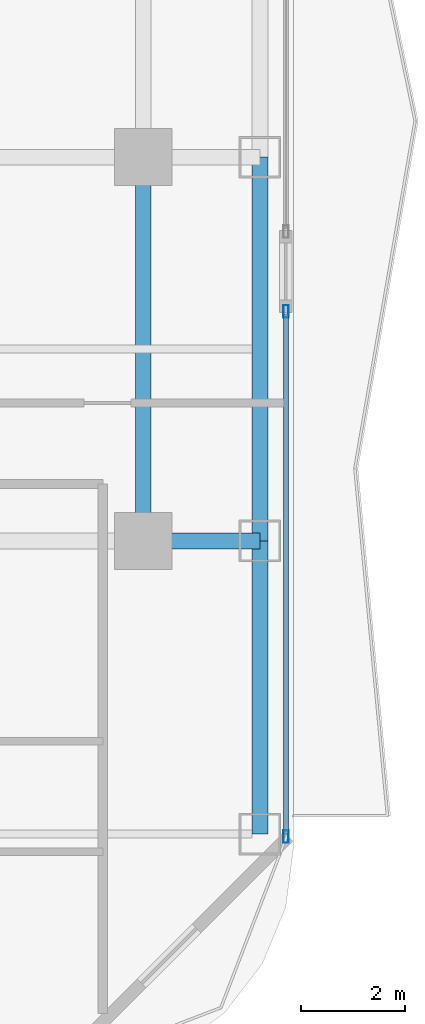
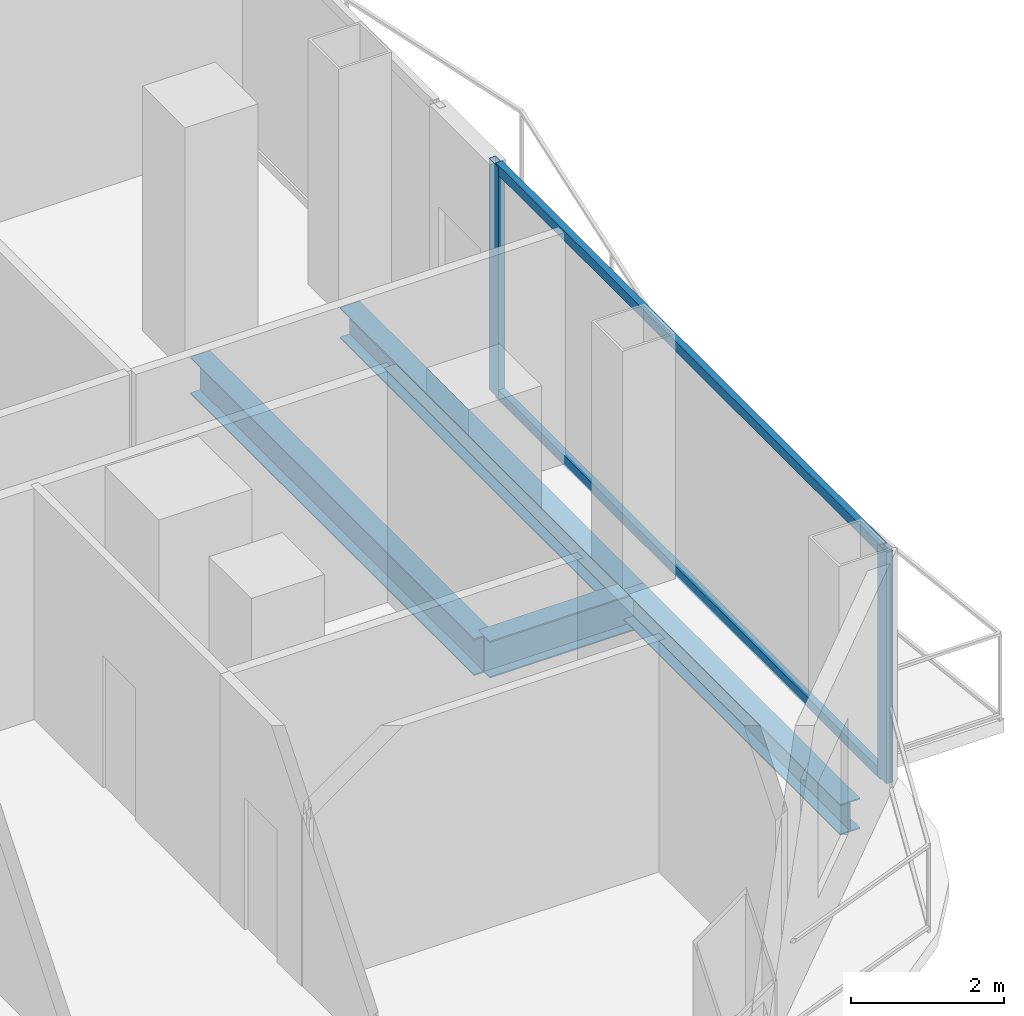
# One storey, part 10 of 29: 4 beams, 4 members, 1 element without a shape of its own.
"""IFC4 building model written with IfcOpenShell, lengths in metres."""

from ifc_helpers import new_model, si_unit, direction, frame, origin, origin_2d, place, context, subcontext, project, spatial, hollow_rectangle, i_section, extrude, material, layer, layer_set, material_profile, profile_set, type_object, element, aggregate, save


model = new_model("IFC4")

# Units and contexts
model_context = context("Model", 3, precision=1e-05, world=origin(), true_north=direction((0.0, 1.0)))
body_context = subcontext(model_context, "Body", "Model", "MODEL_VIEW")
ifc_project = project(units=[si_unit("LENGTHUNIT", "METRE"), si_unit("AREAUNIT", "SQUARE_METRE"), si_unit("VOLUMEUNIT", "CUBIC_METRE"), si_unit("PLANEANGLEUNIT", "RADIAN"), si_unit("MASSUNIT", "GRAM", prefix="KILO")], contexts=[model_context])

# Site, building, storey
site_placement = place(None, origin())
site = spatial("IfcSite", under=ifc_project, at=site_placement, CompositionType="ELEMENT")
building_placement = place(site_placement, origin())
building = spatial("IfcBuilding", under=site, at=building_placement, Name="Khorvyn Point Tower", CompositionType="ELEMENT")
storey_placement = place(building_placement, frame((0.0, 0.0, 61.800048828125)))
storey = spatial("IfcBuildingStorey", under=building, at=storey_placement, Name="L16", CompositionType="ELEMENT", Elevation=61.800048828125)

# Curtain wall, members
ifc_material_1 = material(Name="Anodised aluminium 6063-T6 and laminated Low-E glass", Category="aluminium")
ifc_layer = layer(ifc_material_1, 0.18994140625)
ifc_layer_set = layer_set([ifc_layer], Name="Stick-Built Finned Residential Curtain Wall CW-SYS-02")
curtain_wall_type = type_object("IfcCurtainWallType", Name="Stick-Built Finned Residential Curtain Wall CW-SYS-02", PredefinedType="NOTDEFINED", material=ifc_layer_set)
curtain_wall_placement = place(storey_placement, origin())
curtain_wall = element("IfcCurtainWall", 1, at=curtain_wall_placement, inside=storey, type_object=curtain_wall_type, Name="Curtain Wall", PredefinedType="NOTDEFINED")
ifc_material_2 = material(Name="Anodised aluminium 6063-T6", Category="aluminium")
ifc_material_profile_1 = material_profile(ifc_material_2, hollow_rectangle(XDim=0.10009765625, YDim=0.239990234375, WallThickness=0.0048828125, at=origin_2d()))
ifc_profile_set_1 = profile_set([ifc_material_profile_1], Name="Anodised aluminium 6063-T6 ALU-MUL-100x240")
member_type_1 = type_object("IfcMemberType", Name="Anodised Aluminium 6063-T6 Mullion ALU-MUL-100x240", PredefinedType="MULLION", material=ifc_profile_set_1)
member_1_placement = place(storey_placement, frame((22.14990234375, -10.375, 0.0), z_axis=(0.0, 0.0, 1.0), x_axis=(1.0, 0.0, 0.0)))
member_1 = element("IfcMember", 2, at=member_1_placement, type_object=member_type_1, Name="Transom", PredefinedType="MULLION", context=body_context, shape_type="SweptSolid", body=[
    extrude(hollow_rectangle(XDim=0.10009765625, YDim=0.239990234375, WallThickness=0.0048828125, at=origin_2d()), origin(), (0.0, 0.0, 1.0), 3.679931640625),
])
member_2_placement = place(storey_placement, frame((22.14990234375, -20.5, 0.0), z_axis=(0.0, 0.0, 1.0), x_axis=(1.0, 0.0, 0.0)))
member_2 = element("IfcMember", 3, at=member_2_placement, type_object=member_type_1, Name="Transom", PredefinedType="MULLION", context=body_context, shape_type="SweptSolid", body=[
    extrude(hollow_rectangle(XDim=0.10009765625, YDim=0.239990234375, WallThickness=0.0048828125, at=origin_2d()), origin(), (0.0, 0.0, 1.0), 3.679931640625),
])
ifc_material_profile_2 = material_profile(ifc_material_2, hollow_rectangle(XDim=0.10009765625, YDim=0.159912109375, WallThickness=0.00439453125, at=origin_2d()))
ifc_profile_set_2 = profile_set([ifc_material_profile_2], Name="Anodised aluminium 6063-T6 ALU-TRN-100x160")
member_type_2 = type_object("IfcMemberType", Name="Anodised Aluminium 6063-T6 Transom ALU-TRN-100x160", PredefinedType="USERDEFINED", material=ifc_profile_set_2)
member_3_placement = place(storey_placement, frame((22.14990234375, -10.425048828125, 0.050048828125), z_axis=(0.0, -1.0, 0.0), x_axis=(1.0, 0.0, 0.0)))
member_3 = element("IfcMember", 4, at=member_3_placement, type_object=member_type_2, Name="Transom", ObjectType="TRANSOM", PredefinedType="USERDEFINED", context=body_context, shape_type="SweptSolid", body=[
    extrude(hollow_rectangle(XDim=0.10009765625, YDim=0.159912109375, WallThickness=0.00439453125, at=origin_2d()), origin(), (0.0, 0.0, 1.0), 10.02490234375),
])
member_4_placement = place(storey_placement, frame((22.14990234375, -10.425048828125, 3.6298828125), z_axis=(0.0, -1.0, 0.0), x_axis=(1.0, 0.0, 0.0)))
member_4 = element("IfcMember", 5, at=member_4_placement, type_object=member_type_2, Name="Transom", ObjectType="TRANSOM", PredefinedType="USERDEFINED", context=body_context, shape_type="SweptSolid", body=[
    extrude(hollow_rectangle(XDim=0.10009765625, YDim=0.159912109375, WallThickness=0.00439453125, at=origin_2d()), origin(), (0.0, 0.0, 1.0), 10.02490234375),
])
aggregate(curtain_wall, [member_1, member_2, member_3, member_4])

# Beams
ifc_material_3 = material(Name="Steel S355", Category="steel")
ifc_material_profile_3 = material_profile(ifc_material_3, i_section(OverallWidth=0.300048828125, OverallDepth=0.587890625, WebThickness=0.011962890625, FlangeThickness=0.02001953125, at=origin_2d()))
ifc_profile_set_3 = profile_set([ifc_material_profile_3], Name="Steel S355 H588x300x12x20")
beam_type_1 = type_object("IfcBeamType", Name="Steel S355 Beam H588x300x12x20", PredefinedType="BEAM", material=ifc_profile_set_3)
beam_1_placement = place(storey_placement, frame((19.39990234375, -14.800048828125, -0.51416015625), z_axis=(1.0, 0.0, 0.0), x_axis=(0.0, 1.0, 0.0)))
element("IfcBeam", 6, at=beam_1_placement, inside=storey, type_object=beam_type_1, Name="Beam", PredefinedType="BEAM", context=body_context, shape_type="SweptSolid", body=[
    extrude(i_section(OverallWidth=0.300048828125, OverallDepth=0.587890625, WebThickness=0.011962890625, FlangeThickness=0.02001953125, at=origin_2d()), origin(), (0.0, 0.0, 1.0), 2.25),
])
beam_2_placement = place(storey_placement, frame((19.39990234375, -14.800048828125, -0.51416015625), z_axis=(0.0, 1.0, 0.0), x_axis=(-1.0, 0.0, 0.0)))
element("IfcBeam", 7, at=beam_2_placement, inside=storey, type_object=beam_type_1, Name="Beam", PredefinedType="BEAM", context=body_context, shape_type="SweptSolid", body=[
    extrude(i_section(OverallWidth=0.300048828125, OverallDepth=0.587890625, WebThickness=0.011962890625, FlangeThickness=0.02001953125, at=origin_2d()), origin(), (0.0, 0.0, 1.0), 7.400146484375),
])
ifc_material_profile_4 = material_profile(ifc_material_3, i_section(OverallWidth=0.300048828125, OverallDepth=0.488037109375, WebThickness=0.010986328125, FlangeThickness=0.01806640625, at=origin_2d()))
ifc_profile_set_4 = profile_set([ifc_material_profile_4], Name="Steel S355 H488x300x11x18")
beam_type_2 = type_object("IfcBeamType", Name="Steel S355 Spandrel H488x300x11x18", PredefinedType="SPANDREL", material=ifc_profile_set_4)
beam_3_placement = place(storey_placement, frame((21.64990234375, -20.449951171875, -0.464111328125), z_axis=(0.0, 1.0, 0.0), x_axis=(-1.0, 0.0, 0.0)))
element("IfcBeam", 8, at=beam_3_placement, inside=storey, type_object=beam_type_2, Name="Beam", PredefinedType="SPANDREL", context=body_context, shape_type="SweptSolid", body=[
    extrude(i_section(OverallWidth=0.300048828125, OverallDepth=0.488037109375, WebThickness=0.010986328125, FlangeThickness=0.01806640625, at=origin_2d()), origin(), (0.0, 0.0, 1.0), 5.64990234375),
])
beam_4_placement = place(storey_placement, frame((21.64990234375, -14.800048828125, -0.464111328125), z_axis=(0.0, 1.0, 0.0), x_axis=(-1.0, 0.0, 0.0)))
element("IfcBeam", 9, at=beam_4_placement, inside=storey, type_object=beam_type_2, Name="Beam", PredefinedType="SPANDREL", context=body_context, shape_type="SweptSolid", body=[
    extrude(i_section(OverallWidth=0.300048828125, OverallDepth=0.488037109375, WebThickness=0.010986328125, FlangeThickness=0.01806640625, at=origin_2d()), origin(), (0.0, 0.0, 1.0), 7.400146484375),
])

save(model, "model.ifc")
